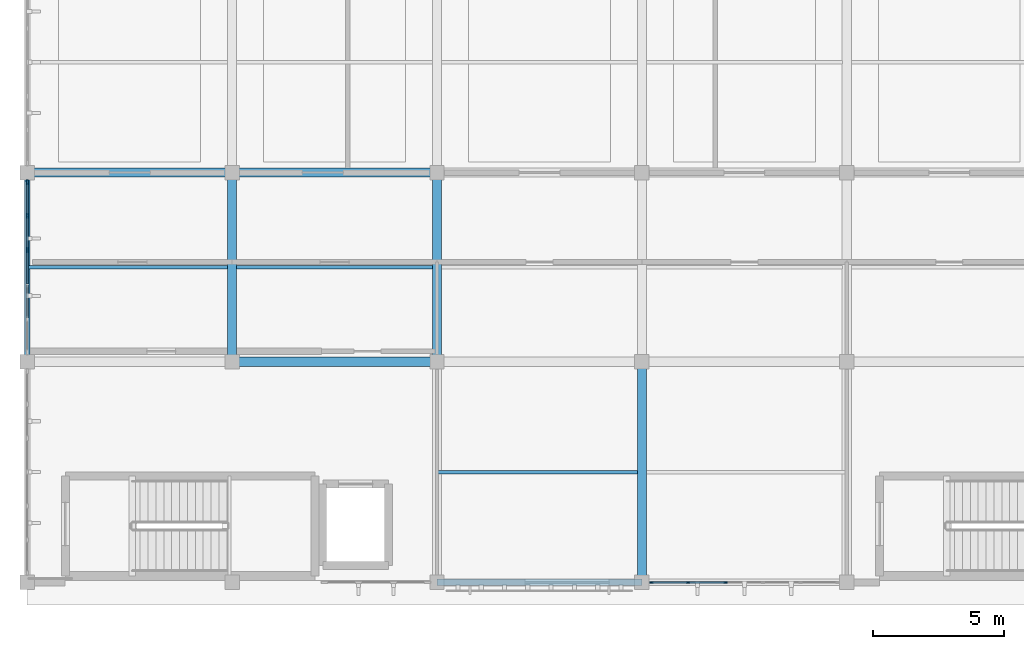
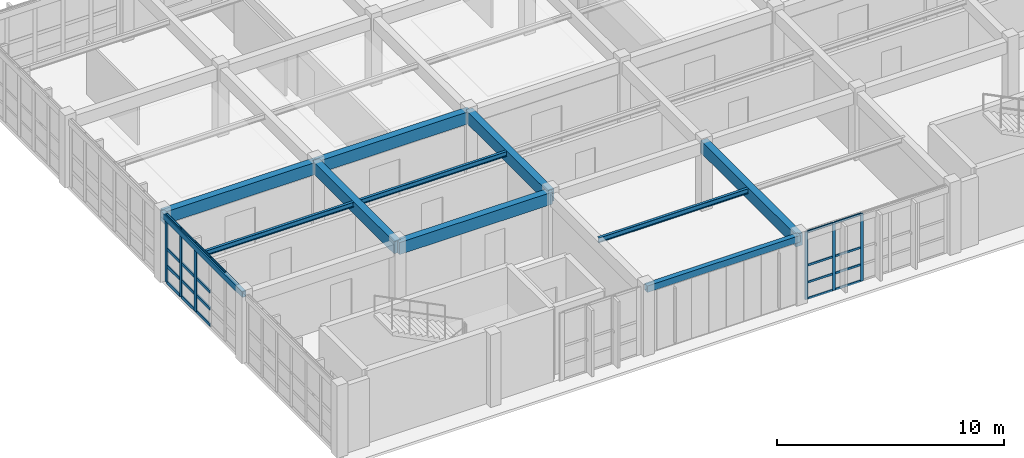
# One storey, part 6 of 35: 27 members, 11 beams, 2 elements without a shape of their own.
"""IFC4 building model written with IfcOpenShell, lengths in metres."""

import ifcopenshell
import ifcopenshell.guid

model = None  # the IFC model being written
_history = None  # IfcOwnerHistory: only IFC2X3 demands one
_inside = {}  # id of a spatial element -> (the spatial element, [elements in it])
_under = {}  # id of a project, library or spatial element -> (it, [spatial elements below it])
_declared = {}  # id of a project -> (the project, [libraries it declares])
_typed = {}  # id of a type object -> (the type object, [elements of that type])
_made_of = {}  # id of a material, layer set ... -> (it, [elements and type objects made of it])


def new_model(schema):
    """Start an empty IFC model of exactly this schema.

    Asked for "IFC4X3", IfcOpenShell would pick the latest addendum, in which some entities
    have other attributes; the version numbers below select the first issue.
    IFC2X3 requires an IfcOwnerHistory on every rooted entity: one is made here for all.
    """
    global model, _history
    if schema == "IFC4X3":
        model = ifcopenshell.file(schema_version=(4, 3, 0, 0))
    else:
        model = ifcopenshell.file(schema=schema)
    _inside.clear()
    _under.clear()
    _declared.clear()
    _typed.clear()
    _made_of.clear()
    _history = None
    if model.schema == "IFC2X3":
        org = make("IfcOrganization", Name="unknown")
        user = make(
            "IfcPersonAndOrganization",
            ThePerson=make("IfcPerson", FamilyName="unknown"),
            TheOrganization=org,
        )
        app = make(
            "IfcApplication",
            ApplicationDeveloper=org,
            Version="unknown",
            ApplicationFullName="unknown",
            ApplicationIdentifier="unknown",
        )
        _history = make(
            "IfcOwnerHistory",
            OwningUser=user,
            OwningApplication=app,
            ChangeAction="ADDED",
            CreationDate=0,
        )
    return model


def make(cls, **values):
    """One entity of the class cls with the attributes given. An attribute that is None is left unset."""
    return model.create_entity(
        cls, **{name: value for name, value in values.items() if value is not None}
    )


def rooted(cls, **values):
    """An entity with a GlobalId (a new one), such as an element, a storey or a relation."""
    return make(cls, GlobalId=ifcopenshell.guid.new(), OwnerHistory=_history, **values)


def si_unit(unit_type, name, prefix=None):
    """IfcSIUnit, for example si_unit("LENGTHUNIT", "METRE", prefix="MILLI")."""
    return make("IfcSIUnit", UnitType=unit_type, Prefix=prefix, Name=name)


def assignment(units):
    """IfcUnitAssignment: the units of a project."""
    return None if units is None else make("IfcUnitAssignment", Units=units)


def point(xyz):
    """IfcCartesianPoint."""
    return None if xyz is None else make("IfcCartesianPoint", Coordinates=xyz)


def direction(xyz):
    """IfcDirection."""
    return None if xyz is None else make("IfcDirection", DirectionRatios=xyz)


def frame(location, z_axis=None, x_axis=None):
    """IfcAxis2Placement3D, a coordinate frame: its origin and axes. An axis left out is left unset."""
    return make(
        "IfcAxis2Placement3D",
        Location=point(location),
        Axis=direction(z_axis),
        RefDirection=direction(x_axis),
    )


def frame_2d(location, x_axis=None):
    """IfcAxis2Placement2D, a coordinate frame in the plane: its origin and x axis."""
    return make(
        "IfcAxis2Placement2D", Location=point(location), RefDirection=direction(x_axis)
    )


def origin():
    """The frame at (0, 0, 0) with its axes left unset."""
    return frame((0.0, 0.0, 0.0))


def origin_2d():
    """The frame at (0, 0) in the plane with its x axis left unset."""
    return frame_2d((0.0, 0.0))


def place(relative_to, where):
    """IfcLocalPlacement: puts the frame where relative to a parent placement (None: the world)."""
    return make(
        "IfcLocalPlacement", PlacementRelTo=relative_to, RelativePlacement=where
    )


def context(
    kind, dimensions, precision=None, world=None, true_north=None, identifier=None
):
    """IfcGeometricRepresentationContext, for example the 3D "Model" context."""
    return make(
        "IfcGeometricRepresentationContext",
        ContextIdentifier=identifier,
        ContextType=kind,
        CoordinateSpaceDimension=dimensions,
        Precision=precision,
        WorldCoordinateSystem=world,
        TrueNorth=true_north,
    )


def subcontext(parent, identifier, kind, view, scale=None):
    """IfcGeometricRepresentationSubContext, for example "Body" below "Model"."""
    return make(
        "IfcGeometricRepresentationSubContext",
        ContextIdentifier=identifier,
        ContextType=kind,
        ParentContext=parent,
        TargetScale=scale,
        TargetView=view,
    )


def project(units=None, contexts=None):
    """IfcProject with its units and contexts."""
    return rooted(
        "IfcProject",
        Name="project",
        RepresentationContexts=contexts,
        UnitsInContext=assignment(units),
    )


def spatial(cls, under=None, at=None, **own):
    """A site, building, storey or space (cls), placed at a placement, below another one or the project."""
    s = rooted(cls, ObjectPlacement=at, **own)
    if under is not None:
        _under.setdefault(under.id(), (under, []))[1].append(s)
    return s


def profile(cls, at=None, kind="AREA", **sizes):
    """A parametric profile (cls). Its sizes go by their IFC names, for example OverallWidth=200.0."""
    return make(cls, ProfileType=kind, Position=at, **sizes)


def rectangle(**sizes):
    """IfcRectangleProfileDef."""
    return profile("IfcRectangleProfileDef", **sizes)


def hollow_rectangle(**sizes):
    """IfcRectangleHollowProfileDef."""
    return profile("IfcRectangleHollowProfileDef", **sizes)


def i_section(**sizes):
    """IfcIShapeProfileDef."""
    return profile("IfcIShapeProfileDef", **sizes)


def extrude(swept, where, along, depth):
    """IfcExtrudedAreaSolid: the profile swept, set in the frame where, extruded along a direction by depth."""
    return make(
        "IfcExtrudedAreaSolid",
        SweptArea=swept,
        Position=where,
        ExtrudedDirection=direction(along),
        Depth=depth,
    )


def shape(context_of_items, identifier, shape_type, items):
    """IfcShapeRepresentation: the items that make up one representation, for example the "Body"."""
    return make(
        "IfcShapeRepresentation",
        ContextOfItems=context_of_items,
        RepresentationIdentifier=identifier,
        RepresentationType=shape_type,
        Items=items,
    )


def material(Name=None, Category=None):
    """IfcMaterial."""
    return make("IfcMaterial", Name=Name, Category=Category)


def material_profile(
    of_material, cross_section, Name=None, Category=None, Priority=None
):
    """IfcMaterialProfile: a cross section and its material."""
    return make(
        "IfcMaterialProfile",
        Name=Name,
        Material=of_material,
        Profile=cross_section,
        Priority=Priority,
        Category=Category,
    )


def profile_set(profiles, Name=None, composite=None):
    """IfcMaterialProfileSet."""
    return make(
        "IfcMaterialProfileSet",
        Name=Name,
        MaterialProfiles=profiles,
        CompositeProfile=composite,
    )


def made_of(thing, what):
    """Note that an element or type object is made of a material, layer set ...; save() writes the relation."""
    if what is not None:
        _made_of.setdefault(what.id(), (what, []))[1].append(thing)
    return thing


def type_object(cls, material=None, **own):
    """A type object (cls), such as IfcWallType, which elements share."""
    return made_of(rooted(cls, **own), material)


def element(
    cls,
    number,
    at=None,
    inside=None,
    cuts=None,
    type_object=None,
    material=None,
    context=None,
    identifier="Body",
    shape_type=None,
    held_by="IfcProductDefinitionShape",
    body=None,
    shapes=None,
    **own,
):
    """One element of the class cls, such as IfcWall. Its Tag is "e" and its number.

    at: its placement. inside: the storey or other place that contains it. cuts: it is an
    opening in that element (IfcRelVoidsElement). A single representation is given by context,
    identifier, shape_type and body (its items); several are given by shapes. held_by: the class
    of the entity that holds the representations. save() writes the other relations.
    """
    e = rooted(cls, Tag="e%d" % number, ObjectPlacement=at, **own)
    if body is not None:
        shapes = [shape(context, identifier, shape_type, body)]
    if shapes is not None:
        e.Representation = make(held_by, Representations=shapes)
    if inside is not None:
        _inside.setdefault(inside.id(), (inside, []))[1].append(e)
    if cuts is not None:
        rooted(
            "IfcRelVoidsElement", RelatingBuildingElement=cuts, RelatedOpeningElement=e
        )
    if type_object is not None:
        _typed.setdefault(type_object.id(), (type_object, []))[1].append(e)
    return made_of(e, material)


def aggregate(whole, parts):
    """IfcRelAggregates: a whole, such as a stair, and the parts it consists of."""
    return rooted("IfcRelAggregates", RelatingObject=whole, RelatedObjects=parts)


def save(model, path):
    """Write the relations noted so far, then the file.

    IfcRelAggregates (storeys below a building ...), IfcRelContainedInSpatialStructure (elements
    in a storey), IfcRelDefinesByType, IfcRelAssociatesMaterial and IfcRelDeclares: one each for
    every whole, place, type object, material and project.
    """
    for whole, parts in _under.values():
        aggregate(whole, parts)
    for where, things in _inside.values():
        rooted(
            "IfcRelContainedInSpatialStructure",
            RelatedElements=things,
            RelatingStructure=where,
        )
    for kind, things in _typed.values():
        rooted("IfcRelDefinesByType", RelatedObjects=things, RelatingType=kind)
    for what, things in _made_of.values():
        rooted("IfcRelAssociatesMaterial", RelatedObjects=things, RelatingMaterial=what)
    for by, libraries in _declared.values():
        rooted("IfcRelDeclares", RelatingContext=by, RelatedDefinitions=libraries)
    model.write(path)


model = new_model("IFC4")

# Units and contexts
model_context = context("Model", 3, precision=1e-05, world=origin(), true_north=direction((0.0, 1.0)))
body_context = subcontext(model_context, "Body", "Model", "MODEL_VIEW")
ifc_project = project(units=[si_unit("LENGTHUNIT", "METRE"), si_unit("AREAUNIT", "SQUARE_METRE"), si_unit("VOLUMEUNIT", "CUBIC_METRE"), si_unit("PLANEANGLEUNIT", "RADIAN"), si_unit("MASSUNIT", "GRAM", prefix="KILO")], contexts=[model_context])

# Site, building, storey
site_placement = place(None, origin())
site = spatial("IfcSite", under=ifc_project, at=site_placement, CompositionType="ELEMENT")
building_placement = place(site_placement, origin())
building = spatial("IfcBuilding", under=site, at=building_placement, Name="Tizgana Railside Sports Hall", CompositionType="ELEMENT")
storey_placement = place(building_placement, frame((0.0, 0.0, 15.89990234375)))
storey = spatial("IfcBuildingStorey", under=building, at=storey_placement, Name="L03", CompositionType="ELEMENT", Elevation=15.89990234375)

# Beams
ifc_material_1 = material(Name="Concrete C35/45", Category="concrete")
ifc_material_profile_1 = material_profile(ifc_material_1, rectangle(XDim=0.35009765625, YDim=0.64990234375, at=origin_2d()), Name="RCB 350x650")
ifc_profile_set_1 = profile_set([ifc_material_profile_1], Name="Concrete C35/45")
beam_type_1 = type_object("IfcBeamType", Name="Concrete Beam RCB 350x650", PredefinedType="BEAM", material=ifc_profile_set_1)
for number, where, z_axis, x_axis, name in (
    (1, (15.60009765625, 8.39990234375, 3.31103515625), (0.0, 1.0, 0.0), (-1.0, 0.0, 0.0), "L03 BEM-0707"),
    (2, (23.39990234375, 8.39990234375, 3.31103515625), (0.0, 1.0, 0.0), (-1.0, 0.0, 0.0), "L03 BEM-0711"),
):
    element("IfcBeam", number, at=place(storey_placement, frame(where, z_axis=z_axis, x_axis=x_axis)), inside=storey, type_object=beam_type_1, Name=name, PredefinedType="BEAM", context=body_context, shape_type="SweptSolid", body=[
        extrude(rectangle(XDim=0.35009765625, YDim=0.64990234375, at=origin_2d()), origin(), (0.0, 0.0, 1.0), 7.2001953125),
    ])
beam_1_placement = place(storey_placement, frame((31.199951171875, 0.0, 3.31103515625), z_axis=(0.0, 1.0, 0.0), x_axis=(-1.0, 0.0, 0.0)))
element("IfcBeam", 3, at=beam_1_placement, inside=storey, type_object=beam_type_1, Name="L03 BEM-0714", PredefinedType="BEAM", context=body_context, shape_type="SweptSolid", body=[
    extrude(rectangle(XDim=0.35009765625, YDim=0.64990234375, at=origin_2d()), origin(), (0.0, 0.0, 1.0), 8.39990234375),
])
beam_2_placement = place(storey_placement, frame((7.800048828125, 15.60009765625, 3.31103515625), z_axis=(1.0, 0.0, 0.0), x_axis=(0.0, 1.0, 0.0)))
element("IfcBeam", 4, at=beam_2_placement, inside=storey, type_object=beam_type_1, Name="L03 BEM-0733", PredefinedType="BEAM", context=body_context, shape_type="SweptSolid", body=[
    extrude(rectangle(XDim=0.35009765625, YDim=0.64990234375, at=origin_2d()), origin(), (0.0, 0.0, 1.0), 7.800048828125),
])
for number, where, z_axis, x_axis, name in (
    (5, (15.60009765625, 8.39990234375, 3.31103515625), (1.0, 0.0, 0.0), (0.0, 1.0, 0.0), "L03 BEM-0739"),
    (6, (15.60009765625, 15.60009765625, 3.31103515625), (1.0, 0.0, 0.0), (0.0, 1.0, 0.0), "L03 BEM-0740"),
):
    element("IfcBeam", number, at=place(storey_placement, frame(where, z_axis=z_axis, x_axis=x_axis)), inside=storey, type_object=beam_type_1, Name=name, PredefinedType="BEAM", context=body_context, shape_type="SweptSolid", body=[
        extrude(rectangle(XDim=0.35009765625, YDim=0.64990234375, at=origin_2d()), origin(), (0.0, 0.0, 1.0), 7.7998046875),
    ])

# Curtain wall, members
ifc_material_2 = material(Name="Anodised aluminium and glass", Category="aluminium")
curtain_wall_type_1 = type_object("IfcCurtainWallType", Name="Unitised Curtain Wall Concourse 1500", PredefinedType="NOTDEFINED", material=ifc_material_2)
curtain_wall_1_placement = place(storey_placement, origin())
curtain_wall_1 = element("IfcCurtainWall", 7, at=curtain_wall_1_placement, inside=storey, type_object=curtain_wall_type_1, Name="L03 Curtain Wall CW-0120", PredefinedType="NOTDEFINED")
ifc_material_3 = material(Name="Anodised aluminium", Category="aluminium")
ifc_material_profile_2 = material_profile(ifc_material_3, rectangle(XDim=0.06005859375, YDim=0.139892578125, at=origin_2d()), Name="Mullion 60x140")
ifc_profile_set_2 = profile_set([ifc_material_profile_2], Name="Anodised aluminium")
member_type_1 = type_object("IfcMemberType", Name="Mullion 60x140", PredefinedType="MULLION", material=ifc_profile_set_2)
member_1_placement = place(storey_placement, frame((34.385986328125, 0.0, 0.0), z_axis=(0.0, 0.0, 1.0), x_axis=(0.0, -1.0, 0.0)))
member_1 = element("IfcMember", 8, at=member_1_placement, type_object=member_type_1, Name="CW-01 mullion 4", PredefinedType="MULLION", context=body_context, shape_type="SweptSolid", body=[
    extrude(rectangle(XDim=0.06005859375, YDim=0.139892578125, at=origin_2d()), origin(), (0.0, 0.0, 1.0), 3.64013671875),
])
member_2_placement = place(storey_placement, frame((32.9580078125, 0.0, 0.0), z_axis=(0.0, 0.0, 1.0), x_axis=(0.0, -1.0, 0.0)))
member_2 = element("IfcMember", 9, at=member_2_placement, type_object=member_type_1, Name="CW-01 mullion 5", PredefinedType="MULLION", context=body_context, shape_type="SweptSolid", body=[
    extrude(rectangle(XDim=0.06005859375, YDim=0.139892578125, at=origin_2d()), origin(), (0.0, 0.0, 1.0), 3.64013671875),
])
member_3_placement = place(storey_placement, frame((31.56005859375, 0.0, 0.0), z_axis=(0.0, 0.0, 1.0), x_axis=(0.0, -1.0, 0.0)))
member_3 = element("IfcMember", 10, at=member_3_placement, type_object=member_type_1, Name="CW-01 mullion 6", PredefinedType="MULLION", context=body_context, shape_type="SweptSolid", body=[
    extrude(rectangle(XDim=0.06005859375, YDim=0.139892578125, at=origin_2d()), origin(), (0.0, 0.0, 1.0), 3.64013671875),
])

curtain_wall_type_2 = type_object("IfcCurtainWallType", Name="Unitised Curtain Wall Foyer 1300", PredefinedType="NOTDEFINED", material=ifc_material_2)
curtain_wall_2_placement = place(storey_placement, origin())
curtain_wall_2 = element("IfcCurtainWall", 11, at=curtain_wall_2_placement, inside=storey, type_object=curtain_wall_type_2, Name="L03 Curtain Wall CW-0129", PredefinedType="NOTDEFINED")
ifc_material_profile_3 = material_profile(ifc_material_3, rectangle(XDim=0.06494140625, YDim=0.199951171875, at=origin_2d()), Name="Mullion 65x200")
ifc_profile_set_3 = profile_set([ifc_material_profile_3], Name="Anodised aluminium")
member_type_2 = type_object("IfcMemberType", Name="Mullion 65x200", PredefinedType="MULLION", material=ifc_profile_set_3)
member_4_placement = place(storey_placement, frame((7.800048828125, 15.237548828125, 0.0), z_axis=(0.0, 0.0, 1.0), x_axis=(1.0, 0.0, 0.0)))
member_4 = element("IfcMember", 12, at=member_4_placement, type_object=member_type_2, Name="CW-02 mullion 1", PredefinedType="MULLION", context=body_context, shape_type="SweptSolid", body=[
    extrude(rectangle(XDim=0.06494140625, YDim=0.199951171875, at=origin_2d()), origin(), (0.0, 0.0, 1.0), 3.64013671875),
])
member_5_placement = place(storey_placement, frame((7.800048828125, 13.9619140625, 0.0), z_axis=(0.0, 0.0, 1.0), x_axis=(1.0, 0.0, 0.0)))
member_5 = element("IfcMember", 13, at=member_5_placement, type_object=member_type_2, Name="CW-02 mullion 2", PredefinedType="MULLION", context=body_context, shape_type="SweptSolid", body=[
    extrude(rectangle(XDim=0.06494140625, YDim=0.199951171875, at=origin_2d()), origin(), (0.0, 0.0, 1.0), 3.64013671875),
])
member_6_placement = place(storey_placement, frame((7.800048828125, 12.654052734375, 0.0), z_axis=(0.0, 0.0, 1.0), x_axis=(1.0, 0.0, 0.0)))
member_6 = element("IfcMember", 14, at=member_6_placement, type_object=member_type_2, Name="CW-02 mullion 3", PredefinedType="MULLION", context=body_context, shape_type="SweptSolid", body=[
    extrude(rectangle(XDim=0.06494140625, YDim=0.199951171875, at=origin_2d()), origin(), (0.0, 0.0, 1.0), 3.64013671875),
])

# Beams
ifc_material_4 = material(Name="Steel S355J2", Category="steel")
ifc_material_profile_4 = material_profile(ifc_material_4, i_section(OverallWidth=0.1298828125, OverallDepth=0.27001953125, WebThickness=0.006591796875, FlangeThickness=0.01025390625, FilletRadius=0.014892578125, at=origin_2d()), Name="IPE 270")
ifc_profile_set_4 = profile_set([ifc_material_profile_4], Name="Steel S355J2")
beam_type_2 = type_object("IfcBeamType", Name="Steel Joist IPE 270", PredefinedType="JOIST", material=ifc_profile_set_4)
beam_3_placement = place(storey_placement, frame((7.800048828125, 12.0, 3.5009765625), z_axis=(1.0, 0.0, 0.0), x_axis=(0.0, 1.0, 0.0)))
element("IfcBeam", 15, at=beam_3_placement, inside=storey, type_object=beam_type_2, Name="L03 BEM-0736", PredefinedType="JOIST", context=body_context, shape_type="SweptSolid", body=[
    extrude(i_section(OverallWidth=0.1298828125, OverallDepth=0.27001953125, WebThickness=0.006591796875, FlangeThickness=0.01025390625, FilletRadius=0.014892578125, at=origin_2d()), origin(), (0.0, 0.0, 1.0), 7.6298828125),
])
beam_4_placement = place(storey_placement, frame((15.77001953125, 12.0, 3.5009765625), z_axis=(1.0, 0.0, 0.0), x_axis=(0.0, 1.0, 0.0)))
element("IfcBeam", 16, at=beam_4_placement, inside=storey, type_object=beam_type_2, Name="L03 BEM-0743", PredefinedType="JOIST", context=body_context, shape_type="SweptSolid", body=[
    extrude(i_section(OverallWidth=0.1298828125, OverallDepth=0.27001953125, WebThickness=0.006591796875, FlangeThickness=0.01025390625, FilletRadius=0.014892578125, at=origin_2d()), origin(), (0.0, 0.0, 1.0), 7.4599609375),
])
beam_5_placement = place(storey_placement, frame((23.39990234375, 4.199951171875, 3.5009765625), z_axis=(1.0, 0.0, 0.0), x_axis=(0.0, 1.0, 0.0)))
element("IfcBeam", 17, at=beam_5_placement, inside=storey, type_object=beam_type_2, Name="L03 BEM-0751", PredefinedType="JOIST", context=body_context, shape_type="SweptSolid", body=[
    extrude(i_section(OverallWidth=0.1298828125, OverallDepth=0.27001953125, WebThickness=0.006591796875, FlangeThickness=0.01025390625, FilletRadius=0.014892578125, at=origin_2d()), origin(), (0.0, 0.0, 1.0), 7.630126953125),
])
ifc_material_profile_5 = material_profile(ifc_material_4, hollow_rectangle(XDim=0.199951171875, YDim=0.300048828125, WallThickness=0.010009765625, at=origin_2d()), Name="RHS 300x200x10")
ifc_profile_set_5 = profile_set([ifc_material_profile_5], Name="Steel S355J2")
beam_type_3 = type_object("IfcBeamType", Name="Steel Spandrel RHS 300x200x10", PredefinedType="SPANDREL", material=ifc_profile_set_5)
beam_6_placement = place(storey_placement, frame((7.800048828125, 8.39990234375, 3.486083984375), z_axis=(0.0, 1.0, 0.0), x_axis=(-1.0, 0.0, 0.0)))
element("IfcBeam", 18, at=beam_6_placement, inside=storey, type_object=beam_type_3, Name="L03 BEM-0704", PredefinedType="SPANDREL", context=body_context, shape_type="SweptSolid", body=[
    extrude(hollow_rectangle(XDim=0.199951171875, YDim=0.300048828125, WallThickness=0.010009765625, at=origin_2d()), origin(), (0.0, 0.0, 1.0), 7.2001953125),
])
ifc_material_profile_6 = material_profile(ifc_material_4, hollow_rectangle(XDim=0.25, YDim=0.35009765625, WallThickness=0.011962890625, at=origin_2d()), Name="RHS 350x250x12")
ifc_profile_set_6 = profile_set([ifc_material_profile_6], Name="Steel S355J2")
beam_type_4 = type_object("IfcBeamType", Name="Steel Spandrel RHS 350x250x12", PredefinedType="SPANDREL", material=ifc_profile_set_6)
beam_7_placement = place(storey_placement, frame((23.39990234375, 0.0, 3.461181640625), z_axis=(1.0, 0.0, 0.0), x_axis=(0.0, 1.0, 0.0)))
element("IfcBeam", 19, at=beam_7_placement, inside=storey, type_object=beam_type_4, Name="L03 BEM-0746", PredefinedType="SPANDREL", context=body_context, shape_type="SweptSolid", body=[
    extrude(hollow_rectangle(XDim=0.25, YDim=0.35009765625, WallThickness=0.011962890625, at=origin_2d()), origin(), (0.0, 0.0, 1.0), 7.800048828125),
])

# Member
ifc_material_profile_7 = material_profile(ifc_material_3, rectangle(XDim=0.06005859375, YDim=0.110107421875, at=origin_2d()), Name="Transom 60x110")
ifc_profile_set_7 = profile_set([ifc_material_profile_7], Name="Anodised aluminium")
member_type_3 = type_object("IfcMemberType", Name="Transom 60x110", PredefinedType="USERDEFINED", material=ifc_profile_set_7)
member_7_placement = place(storey_placement, frame((34.35595703125, 0.0, 0.030029296875), z_axis=(-1.0, 0.0, 0.0), x_axis=(0.0, -1.0, 0.0)))
member_7 = element("IfcMember", 20, at=member_7_placement, type_object=member_type_3, Name="CW-01 transom 4.1", ObjectType="TRANSOM", PredefinedType="USERDEFINED", context=body_context, shape_type="SweptSolid", body=[
    extrude(rectangle(XDim=0.06005859375, YDim=0.110107421875, at=origin_2d()), origin(), (0.0, 0.0, 1.0), 1.367919921875),
])

member_8_placement = place(storey_placement, frame((34.35595703125, 0.0, 0.900146484375), z_axis=(-1.0, 0.0, 0.0), x_axis=(0.0, -1.0, 0.0)))
member_8 = element("IfcMember", 21, at=member_8_placement, type_object=member_type_3, Name="CW-01 transom 4.2", ObjectType="TRANSOM", PredefinedType="USERDEFINED", context=body_context, shape_type="SweptSolid", body=[
    extrude(rectangle(XDim=0.06005859375, YDim=0.110107421875, at=origin_2d()), origin(), (0.0, 0.0, 1.0), 1.367919921875),
])

member_9_placement = place(storey_placement, frame((34.35595703125, 0.0, 1.820068359375), z_axis=(-1.0, 0.0, 0.0), x_axis=(0.0, -1.0, 0.0)))
member_9 = element("IfcMember", 22, at=member_9_placement, type_object=member_type_3, Name="CW-01 transom 4.3", ObjectType="TRANSOM", PredefinedType="USERDEFINED", context=body_context, shape_type="SweptSolid", body=[
    extrude(rectangle(XDim=0.06005859375, YDim=0.110107421875, at=origin_2d()), origin(), (0.0, 0.0, 1.0), 1.367919921875),
])

member_10_placement = place(storey_placement, frame((34.35595703125, 0.0, 3.610107421875), z_axis=(-1.0, 0.0, 0.0), x_axis=(0.0, -1.0, 0.0)))
member_10 = element("IfcMember", 23, at=member_10_placement, type_object=member_type_3, Name="CW-01 transom 4.4", ObjectType="TRANSOM", PredefinedType="USERDEFINED", context=body_context, shape_type="SweptSolid", body=[
    extrude(rectangle(XDim=0.06005859375, YDim=0.110107421875, at=origin_2d()), origin(), (0.0, 0.0, 1.0), 1.367919921875),
])

member_11_placement = place(storey_placement, frame((32.927978515625, 0.0, 0.030029296875), z_axis=(-1.0, 0.0, 0.0), x_axis=(0.0, -1.0, 0.0)))
member_11 = element("IfcMember", 24, at=member_11_placement, type_object=member_type_3, Name="CW-01 transom 5.1", ObjectType="TRANSOM", PredefinedType="USERDEFINED", context=body_context, shape_type="SweptSolid", body=[
    extrude(rectangle(XDim=0.06005859375, YDim=0.110107421875, at=origin_2d()), origin(), (0.0, 0.0, 1.0), 1.337890625),
])

member_12_placement = place(storey_placement, frame((32.927978515625, 0.0, 0.900146484375), z_axis=(-1.0, 0.0, 0.0), x_axis=(0.0, -1.0, 0.0)))
member_12 = element("IfcMember", 25, at=member_12_placement, type_object=member_type_3, Name="CW-01 transom 5.2", ObjectType="TRANSOM", PredefinedType="USERDEFINED", context=body_context, shape_type="SweptSolid", body=[
    extrude(rectangle(XDim=0.06005859375, YDim=0.110107421875, at=origin_2d()), origin(), (0.0, 0.0, 1.0), 1.337890625),
])

member_13_placement = place(storey_placement, frame((32.927978515625, 0.0, 1.820068359375), z_axis=(-1.0, 0.0, 0.0), x_axis=(0.0, -1.0, 0.0)))
member_13 = element("IfcMember", 26, at=member_13_placement, type_object=member_type_3, Name="CW-01 transom 5.3", ObjectType="TRANSOM", PredefinedType="USERDEFINED", context=body_context, shape_type="SweptSolid", body=[
    extrude(rectangle(XDim=0.06005859375, YDim=0.110107421875, at=origin_2d()), origin(), (0.0, 0.0, 1.0), 1.337890625),
])

member_14_placement = place(storey_placement, frame((32.927978515625, 0.0, 3.610107421875), z_axis=(-1.0, 0.0, 0.0), x_axis=(0.0, -1.0, 0.0)))
member_14 = element("IfcMember", 27, at=member_14_placement, type_object=member_type_3, Name="CW-01 transom 5.4", ObjectType="TRANSOM", PredefinedType="USERDEFINED", context=body_context, shape_type="SweptSolid", body=[
    extrude(rectangle(XDim=0.06005859375, YDim=0.110107421875, at=origin_2d()), origin(), (0.0, 0.0, 1.0), 1.337890625),
])

aggregate(curtain_wall_1, [member_1, member_2, member_3, member_7, member_8, member_9, member_10, member_11, member_12, member_13, member_14])

ifc_material_profile_8 = material_profile(ifc_material_3, rectangle(XDim=0.06494140625, YDim=0.169921875, at=origin_2d()), Name="Transom 65x170")
ifc_profile_set_8 = profile_set([ifc_material_profile_8], Name="Anodised aluminium")
member_type_4 = type_object("IfcMemberType", Name="Transom 65x170", PredefinedType="USERDEFINED", material=ifc_profile_set_8)
member_15_placement = place(storey_placement, frame((7.800048828125, 15.205078125, 0.03271484375), z_axis=(0.0, -1.0, 0.0), x_axis=(1.0, 0.0, 0.0)))
member_15 = element("IfcMember", 28, at=member_15_placement, type_object=member_type_4, Name="CW-02 transom 1.1", ObjectType="TRANSOM", PredefinedType="USERDEFINED", context=body_context, shape_type="SweptSolid", body=[
    extrude(rectangle(XDim=0.06494140625, YDim=0.169921875, at=origin_2d()), origin(), (0.0, 0.0, 1.0), 1.210693359375),
])

member_16_placement = place(storey_placement, frame((7.800048828125, 15.205078125, 0.900146484375), z_axis=(0.0, -1.0, 0.0), x_axis=(1.0, 0.0, 0.0)))
member_16 = element("IfcMember", 29, at=member_16_placement, type_object=member_type_4, Name="CW-02 transom 1.2", ObjectType="TRANSOM", PredefinedType="USERDEFINED", context=body_context, shape_type="SweptSolid", body=[
    extrude(rectangle(XDim=0.06494140625, YDim=0.169921875, at=origin_2d()), origin(), (0.0, 0.0, 1.0), 1.210693359375),
])

member_17_placement = place(storey_placement, frame((7.800048828125, 15.205078125, 1.820068359375), z_axis=(0.0, -1.0, 0.0), x_axis=(1.0, 0.0, 0.0)))
member_17 = element("IfcMember", 30, at=member_17_placement, type_object=member_type_4, Name="CW-02 transom 1.3", ObjectType="TRANSOM", PredefinedType="USERDEFINED", context=body_context, shape_type="SweptSolid", body=[
    extrude(rectangle(XDim=0.06494140625, YDim=0.169921875, at=origin_2d()), origin(), (0.0, 0.0, 1.0), 1.210693359375),
])

member_18_placement = place(storey_placement, frame((7.800048828125, 15.205078125, 3.607666015625), z_axis=(0.0, -1.0, 0.0), x_axis=(1.0, 0.0, 0.0)))
member_18 = element("IfcMember", 31, at=member_18_placement, type_object=member_type_4, Name="CW-02 transom 1.4", ObjectType="TRANSOM", PredefinedType="USERDEFINED", context=body_context, shape_type="SweptSolid", body=[
    extrude(rectangle(XDim=0.06494140625, YDim=0.169921875, at=origin_2d()), origin(), (0.0, 0.0, 1.0), 1.210693359375),
])

member_19_placement = place(storey_placement, frame((7.800048828125, 13.929443359375, 0.03271484375), z_axis=(0.0, -1.0, 0.0), x_axis=(1.0, 0.0, 0.0)))
member_19 = element("IfcMember", 32, at=member_19_placement, type_object=member_type_4, Name="CW-02 transom 2.1", ObjectType="TRANSOM", PredefinedType="USERDEFINED", context=body_context, shape_type="SweptSolid", body=[
    extrude(rectangle(XDim=0.06494140625, YDim=0.169921875, at=origin_2d()), origin(), (0.0, 0.0, 1.0), 1.242919921875),
])

member_20_placement = place(storey_placement, frame((7.800048828125, 13.929443359375, 0.900146484375), z_axis=(0.0, -1.0, 0.0), x_axis=(1.0, 0.0, 0.0)))
member_20 = element("IfcMember", 33, at=member_20_placement, type_object=member_type_4, Name="CW-02 transom 2.2", ObjectType="TRANSOM", PredefinedType="USERDEFINED", context=body_context, shape_type="SweptSolid", body=[
    extrude(rectangle(XDim=0.06494140625, YDim=0.169921875, at=origin_2d()), origin(), (0.0, 0.0, 1.0), 1.242919921875),
])

member_21_placement = place(storey_placement, frame((7.800048828125, 13.929443359375, 1.820068359375), z_axis=(0.0, -1.0, 0.0), x_axis=(1.0, 0.0, 0.0)))
member_21 = element("IfcMember", 34, at=member_21_placement, type_object=member_type_4, Name="CW-02 transom 2.3", ObjectType="TRANSOM", PredefinedType="USERDEFINED", context=body_context, shape_type="SweptSolid", body=[
    extrude(rectangle(XDim=0.06494140625, YDim=0.169921875, at=origin_2d()), origin(), (0.0, 0.0, 1.0), 1.242919921875),
])

member_22_placement = place(storey_placement, frame((7.800048828125, 13.929443359375, 3.607666015625), z_axis=(0.0, -1.0, 0.0), x_axis=(1.0, 0.0, 0.0)))
member_22 = element("IfcMember", 35, at=member_22_placement, type_object=member_type_4, Name="CW-02 transom 2.4", ObjectType="TRANSOM", PredefinedType="USERDEFINED", context=body_context, shape_type="SweptSolid", body=[
    extrude(rectangle(XDim=0.06494140625, YDim=0.169921875, at=origin_2d()), origin(), (0.0, 0.0, 1.0), 1.242919921875),
])

member_23_placement = place(storey_placement, frame((7.800048828125, 12.62158203125, 0.03271484375), z_axis=(0.0, -1.0, 0.0), x_axis=(1.0, 0.0, 0.0)))
member_23 = element("IfcMember", 36, at=member_23_placement, type_object=member_type_4, Name="CW-02 transom 3.1", ObjectType="TRANSOM", PredefinedType="USERDEFINED", context=body_context, shape_type="SweptSolid", body=[
    extrude(rectangle(XDim=0.06494140625, YDim=0.169921875, at=origin_2d()), origin(), (0.0, 0.0, 1.0), 1.2431640625),
])

member_24_placement = place(storey_placement, frame((7.800048828125, 12.62158203125, 0.900146484375), z_axis=(0.0, -1.0, 0.0), x_axis=(1.0, 0.0, 0.0)))
member_24 = element("IfcMember", 37, at=member_24_placement, type_object=member_type_4, Name="CW-02 transom 3.2", ObjectType="TRANSOM", PredefinedType="USERDEFINED", context=body_context, shape_type="SweptSolid", body=[
    extrude(rectangle(XDim=0.06494140625, YDim=0.169921875, at=origin_2d()), origin(), (0.0, 0.0, 1.0), 1.2431640625),
])

member_25_placement = place(storey_placement, frame((7.800048828125, 12.62158203125, 1.820068359375), z_axis=(0.0, -1.0, 0.0), x_axis=(1.0, 0.0, 0.0)))
member_25 = element("IfcMember", 38, at=member_25_placement, type_object=member_type_4, Name="CW-02 transom 3.3", ObjectType="TRANSOM", PredefinedType="USERDEFINED", context=body_context, shape_type="SweptSolid", body=[
    extrude(rectangle(XDim=0.06494140625, YDim=0.169921875, at=origin_2d()), origin(), (0.0, 0.0, 1.0), 1.2431640625),
])

member_26_placement = place(storey_placement, frame((7.800048828125, 12.62158203125, 3.607666015625), z_axis=(0.0, -1.0, 0.0), x_axis=(1.0, 0.0, 0.0)))
member_26 = element("IfcMember", 39, at=member_26_placement, type_object=member_type_4, Name="CW-02 transom 3.4", ObjectType="TRANSOM", PredefinedType="USERDEFINED", context=body_context, shape_type="SweptSolid", body=[
    extrude(rectangle(XDim=0.06494140625, YDim=0.169921875, at=origin_2d()), origin(), (0.0, 0.0, 1.0), 1.2431640625),
])

member_27_placement = place(storey_placement, frame((7.800048828125, 11.3134765625, 3.607666015625), z_axis=(0.0, -1.0, 0.0), x_axis=(1.0, 0.0, 0.0)))
member_27 = element("IfcMember", 40, at=member_27_placement, type_object=member_type_4, Name="CW-02 transom 4.4", ObjectType="TRANSOM", PredefinedType="USERDEFINED", context=body_context, shape_type="SweptSolid", body=[
    extrude(rectangle(XDim=0.06494140625, YDim=0.169921875, at=origin_2d()), origin(), (0.0, 0.0, 1.0), 1.242919921875),
])

aggregate(curtain_wall_2, [member_4, member_5, member_6, member_15, member_16, member_17, member_18, member_19, member_20, member_21, member_22, member_23, member_24, member_25, member_26, member_27])

save(model, "model.ifc")
